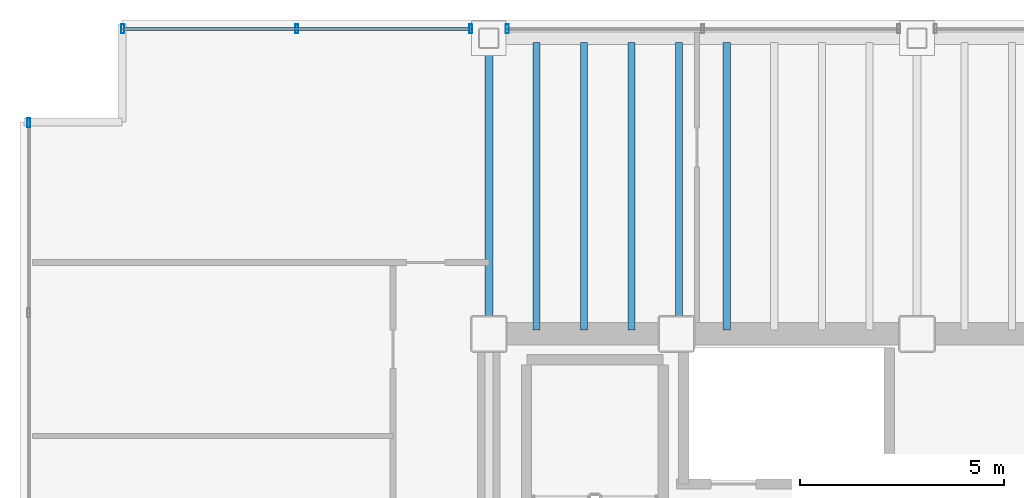
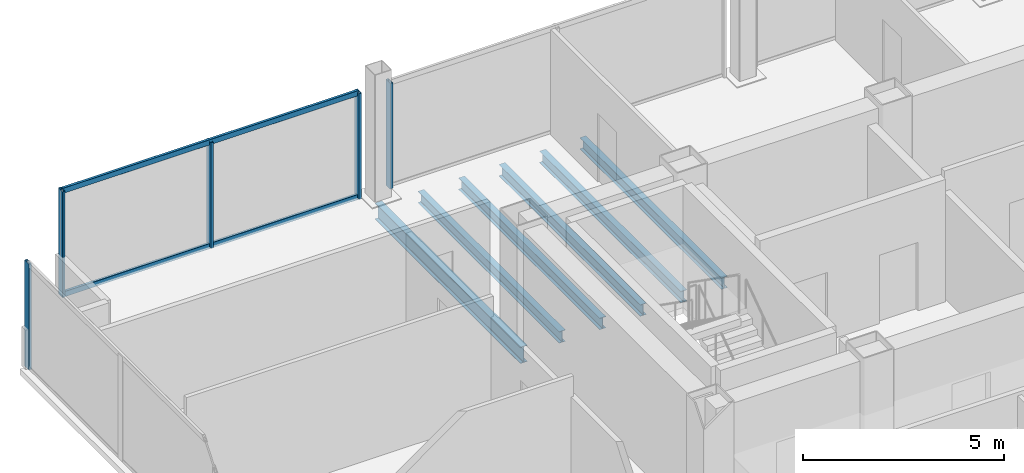
# One storey, part 8 of 19: 7 members, 6 beams, 3 elements without a shape of their own.
"""IFC4 building model written with IfcOpenShell, lengths in metres."""

from ifc_helpers import new_model, si_unit, direction, frame, origin, origin_2d, place, context, subcontext, project, spatial, hollow_rectangle, i_section, extrude, material, material_profile, profile_set, type_object, element, aggregate, save


model = new_model("IFC4")

# Units and contexts
model_context = context("Model", 3, precision=1e-05, world=origin(), true_north=direction((0.0, 1.0)))
body_context = subcontext(model_context, "Body", "Model", "MODEL_VIEW")
ifc_project = project(units=[si_unit("LENGTHUNIT", "METRE"), si_unit("AREAUNIT", "SQUARE_METRE"), si_unit("VOLUMEUNIT", "CUBIC_METRE"), si_unit("PLANEANGLEUNIT", "RADIAN"), si_unit("MASSUNIT", "GRAM", prefix="KILO")], contexts=[model_context])

# Site, building, storey
site_placement = place(None, origin())
site = spatial("IfcSite", under=ifc_project, at=site_placement, CompositionType="ELEMENT")
building_placement = place(site_placement, origin())
building = spatial("IfcBuilding", under=site, at=building_placement, Name="Noeulbin Bourse Tower", CompositionType="ELEMENT")
storey_placement = place(building_placement, frame((0.0, 0.0, 150.0)))
storey = spatial("IfcBuildingStorey", under=building, at=storey_placement, Name="L37", CompositionType="ELEMENT", Elevation=150.0)

# Beams
ifc_material_1 = material(Name="Steel S355", Category="steel")
ifc_material_profile_1 = material_profile(ifc_material_1, i_section(OverallWidth=0.199951171875, OverallDepth=0.5, WebThickness=0.010009765625, FlangeThickness=0.01611328125, FilletRadius=0.02001953125, at=origin_2d()), Name="H-500x200x10x16", Category="LoadBearing")
ifc_profile_set_1 = profile_set([ifc_material_profile_1], Name="Steel S355")
beam_type_1 = type_object("IfcBeamType", Name="BM-GRD-500", PredefinedType="USERDEFINED", material=ifc_profile_set_1)
beam_placement = place(storey_placement, frame((13.5, 38.300048828125, -0.429931640625), z_axis=(0.0, 1.0, 0.0), x_axis=(-1.0, 0.0, 0.0)))
element("IfcBeam", 1, at=beam_placement, inside=storey, type_object=beam_type_1, Name="Tower Primary Girder NS L37-1.4", ObjectType="GIRDER", PredefinedType="USERDEFINED", context=body_context, shape_type="SweptSolid", body=[
    extrude(i_section(OverallWidth=0.199951171875, OverallDepth=0.5, WebThickness=0.010009765625, FlangeThickness=0.01611328125, FilletRadius=0.02001953125, at=origin_2d()), origin(), (0.0, 0.0, 1.0), 7.25),
])
ifc_material_profile_2 = material_profile(ifc_material_1, i_section(OverallWidth=0.175048828125, OverallDepth=0.35009765625, WebThickness=0.007080078125, FlangeThickness=0.010986328125, FilletRadius=0.013916015625, at=origin_2d()), Name="H-350x175x7x11", Category="LoadBearing")
ifc_profile_set_2 = profile_set([ifc_material_profile_2], Name="Steel S355")
beam_type_2 = type_object("IfcBeamType", Name="BM-JST-350", PredefinedType="JOIST", material=ifc_profile_set_2)
for number, where, z_axis, x_axis, name in (
    (2, (14.666748046875, 38.39990234375, -0.35498046875), (0.0, 1.0, 0.0), (-1.0, 0.0, 0.0), "Tower Composite Joist L37-03"),
    (3, (15.833251953125, 38.39990234375, -0.35498046875), (0.0, 1.0, 0.0), (-1.0, 0.0, 0.0), "Tower Composite Joist L37-06"),
    (4, (17.0, 38.39990234375, -0.35498046875), (0.0, 1.0, 0.0), (-1.0, 0.0, 0.0), "Tower Composite Joist L37-09"),
    (5, (18.166748046875, 38.39990234375, -0.35498046875), (0.0, 1.0, 0.0), (-1.0, 0.0, 0.0), "Tower Composite Joist L37-12"),
    (6, (19.333251953125, 38.39990234375, -0.35498046875), (0.0, 1.0, 0.0), (-1.0, 0.0, 0.0), "Tower Composite Joist L37-15"),
):
    element("IfcBeam", number, at=place(storey_placement, frame(where, z_axis=z_axis, x_axis=x_axis)), inside=storey, type_object=beam_type_2, Name=name, PredefinedType="JOIST", context=body_context, shape_type="SweptSolid", body=[
        extrude(i_section(OverallWidth=0.175048828125, OverallDepth=0.35009765625, WebThickness=0.007080078125, FlangeThickness=0.010986328125, FilletRadius=0.013916015625, at=origin_2d()), origin(), (0.0, 0.0, 1.0), 7.050048828125),
    ])

# Curtain wall, members
ifc_material_2 = material(Name="Dark Tinted Triple Glazing", Category="glass")
curtain_wall_type = type_object("IfcCurtainWallType", Name="CW-SYS-3", PredefinedType="NOTDEFINED", material=ifc_material_2)
curtain_wall_1_placement = place(storey_placement, origin())
curtain_wall_1 = element("IfcCurtainWall", 7, at=curtain_wall_1_placement, inside=storey, type_object=curtain_wall_type, Name="Unitised Curtain Wall CW-L37-N-S1", PredefinedType="NOTDEFINED")
ifc_material_3 = material(Name="Anodised Aluminium 6063-T6", Category="aluminium")
ifc_material_profile_3 = material_profile(ifc_material_3, hollow_rectangle(XDim=0.074951171875, YDim=0.219970703125, WallThickness=0.0048828125, InnerFilletRadius=0.00244140625, OuterFilletRadius=0.0048828125, at=origin_2d()), Name="ALU-MULL-75x220x5", Category="LoadBearing")
ifc_profile_set_3 = profile_set([ifc_material_profile_3], Name="Anodised Aluminium 6063-T6")
member_type_1 = type_object("IfcMemberType", Name="CW-SYS-3-MUL", PredefinedType="MULLION", material=ifc_profile_set_3)
member_1_placement = place(storey_placement, frame((4.52001953125, 45.780029296875, -0.02001953125), z_axis=(0.0, 0.0, 1.0), x_axis=(1.0, 0.0, 0.0)))
member_1 = element("IfcMember", 8, at=member_1_placement, type_object=member_type_1, Name="Curtain Wall Mullion CW-L37-N-S1-M00", PredefinedType="MULLION", context=body_context, shape_type="SweptSolid", body=[
    extrude(hollow_rectangle(XDim=0.074951171875, YDim=0.219970703125, WallThickness=0.0048828125, InnerFilletRadius=0.00244140625, OuterFilletRadius=0.0048828125, at=origin_2d()), origin(), (0.0, 0.0, 1.0), 3.219970703125),
])
member_2_placement = place(storey_placement, frame((8.784912109375, 45.780029296875, -0.02001953125), z_axis=(0.0, 0.0, 1.0), x_axis=(1.0, 0.0, 0.0)))
member_2 = element("IfcMember", 9, at=member_2_placement, type_object=member_type_1, Name="Curtain Wall Mullion CW-L37-N-S1-M01", PredefinedType="MULLION", context=body_context, shape_type="SweptSolid", body=[
    extrude(hollow_rectangle(XDim=0.074951171875, YDim=0.219970703125, WallThickness=0.0048828125, InnerFilletRadius=0.00244140625, OuterFilletRadius=0.0048828125, at=origin_2d()), origin(), (0.0, 0.0, 1.0), 3.219970703125),
])
member_3_placement = place(storey_placement, frame((13.050048828125, 45.780029296875, -0.02001953125), z_axis=(0.0, 0.0, 1.0), x_axis=(1.0, 0.0, 0.0)))
member_3 = element("IfcMember", 10, at=member_3_placement, type_object=member_type_1, Name="Curtain Wall Mullion CW-L37-N-S1-M02", PredefinedType="MULLION", context=body_context, shape_type="SweptSolid", body=[
    extrude(hollow_rectangle(XDim=0.074951171875, YDim=0.219970703125, WallThickness=0.0048828125, InnerFilletRadius=0.00244140625, OuterFilletRadius=0.0048828125, at=origin_2d()), origin(), (0.0, 0.0, 1.0), 3.219970703125),
])

# Curtain wall, member
curtain_wall_2_placement = place(storey_placement, origin())
curtain_wall_2 = element("IfcCurtainWall", 11, at=curtain_wall_2_placement, inside=storey, type_object=curtain_wall_type, Name="Unitised Curtain Wall CW-L37-N-S2", PredefinedType="NOTDEFINED")
member_4_placement = place(storey_placement, frame((13.949951171875, 45.780029296875, -0.02001953125), z_axis=(0.0, 0.0, 1.0), x_axis=(1.0, 0.0, 0.0)))
member_4 = element("IfcMember", 12, at=member_4_placement, type_object=member_type_1, Name="Curtain Wall Mullion CW-L37-N-S2-M00", PredefinedType="MULLION", context=body_context, shape_type="SweptSolid", body=[
    extrude(hollow_rectangle(XDim=0.074951171875, YDim=0.219970703125, WallThickness=0.0048828125, InnerFilletRadius=0.00244140625, OuterFilletRadius=0.0048828125, at=origin_2d()), origin(), (0.0, 0.0, 1.0), 3.219970703125),
])
aggregate(curtain_wall_2, [member_4])

curtain_wall_3_placement = place(storey_placement, origin())
curtain_wall_3 = element("IfcCurtainWall", 13, at=curtain_wall_3_placement, inside=storey, type_object=curtain_wall_type, Name="Unitised Curtain Wall CW-L37-W-S2", PredefinedType="NOTDEFINED")
member_5_placement = place(storey_placement, frame((2.219970703125, 43.47998046875, -0.02001953125), z_axis=(0.0, 0.0, 1.0), x_axis=(1.0, 0.0, 0.0)))
member_5 = element("IfcMember", 14, at=member_5_placement, type_object=member_type_1, Name="Curtain Wall Mullion CW-L37-W-S2-M03", PredefinedType="MULLION", context=body_context, shape_type="SweptSolid", body=[
    extrude(hollow_rectangle(XDim=0.074951171875, YDim=0.219970703125, WallThickness=0.0048828125, InnerFilletRadius=0.00244140625, OuterFilletRadius=0.0048828125, at=origin_2d()), origin(), (0.0, 0.0, 1.0), 3.219970703125),
])
aggregate(curtain_wall_3, [member_5])

# Member
ifc_material_profile_4 = material_profile(ifc_material_3, hollow_rectangle(XDim=0.074951171875, YDim=0.159912109375, WallThickness=0.0048828125, InnerFilletRadius=0.00244140625, OuterFilletRadius=0.0048828125, at=origin_2d()), Name="ALU-TRAN-75x160x5", Category="LoadBearing")
ifc_profile_set_4 = profile_set([ifc_material_profile_4], Name="Anodised Aluminium 6063-T6")
member_type_2 = type_object("IfcMemberType", Name="CW-SYS-3-TRN", PredefinedType="USERDEFINED", material=ifc_profile_set_4)
member_6_placement = place(storey_placement, frame((4.530029296875, 45.780029296875, 0.010009765625), z_axis=(1.0, 0.0, 0.0), x_axis=(0.0, 1.0, 0.0)))
member_6 = element("IfcMember", 15, at=member_6_placement, type_object=member_type_2, Name="Curtain Wall Transom CW-L37-N-S1-T00", ObjectType="TRANSOM", PredefinedType="USERDEFINED", context=body_context, shape_type="SweptSolid", body=[
    extrude(hollow_rectangle(XDim=0.074951171875, YDim=0.159912109375, WallThickness=0.0048828125, InnerFilletRadius=0.00244140625, OuterFilletRadius=0.0048828125, at=origin_2d()), origin(), (0.0, 0.0, 1.0), 8.510009765625),
])

member_7_placement = place(storey_placement, frame((4.530029296875, 45.780029296875, 3.169921875), z_axis=(1.0, 0.0, 0.0), x_axis=(0.0, 1.0, 0.0)))
member_7 = element("IfcMember", 16, at=member_7_placement, type_object=member_type_2, Name="Curtain Wall Transom CW-L37-N-S1-T01", ObjectType="TRANSOM", PredefinedType="USERDEFINED", context=body_context, shape_type="SweptSolid", body=[
    extrude(hollow_rectangle(XDim=0.074951171875, YDim=0.159912109375, WallThickness=0.0048828125, InnerFilletRadius=0.00244140625, OuterFilletRadius=0.0048828125, at=origin_2d()), origin(), (0.0, 0.0, 1.0), 8.510009765625),
])

aggregate(curtain_wall_1, [member_1, member_2, member_3, member_6, member_7])

save(model, "model.ifc")
